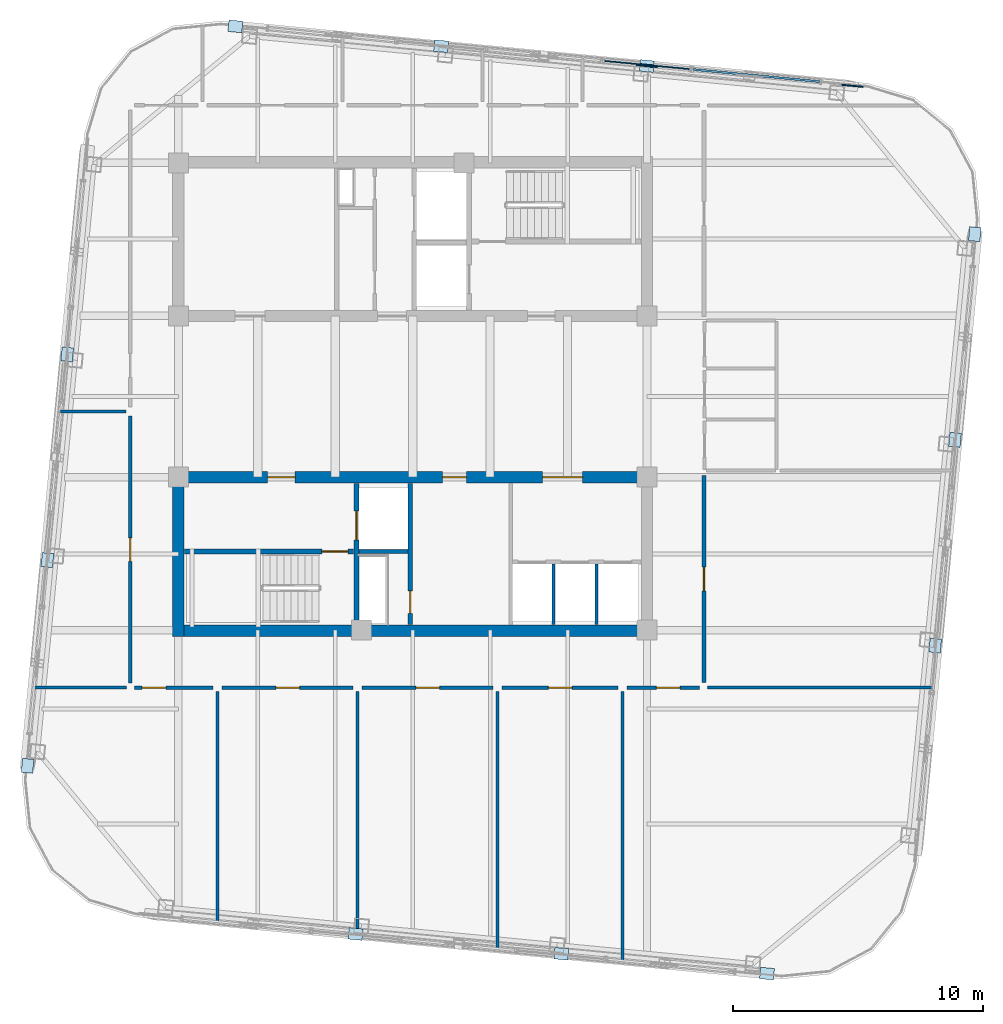
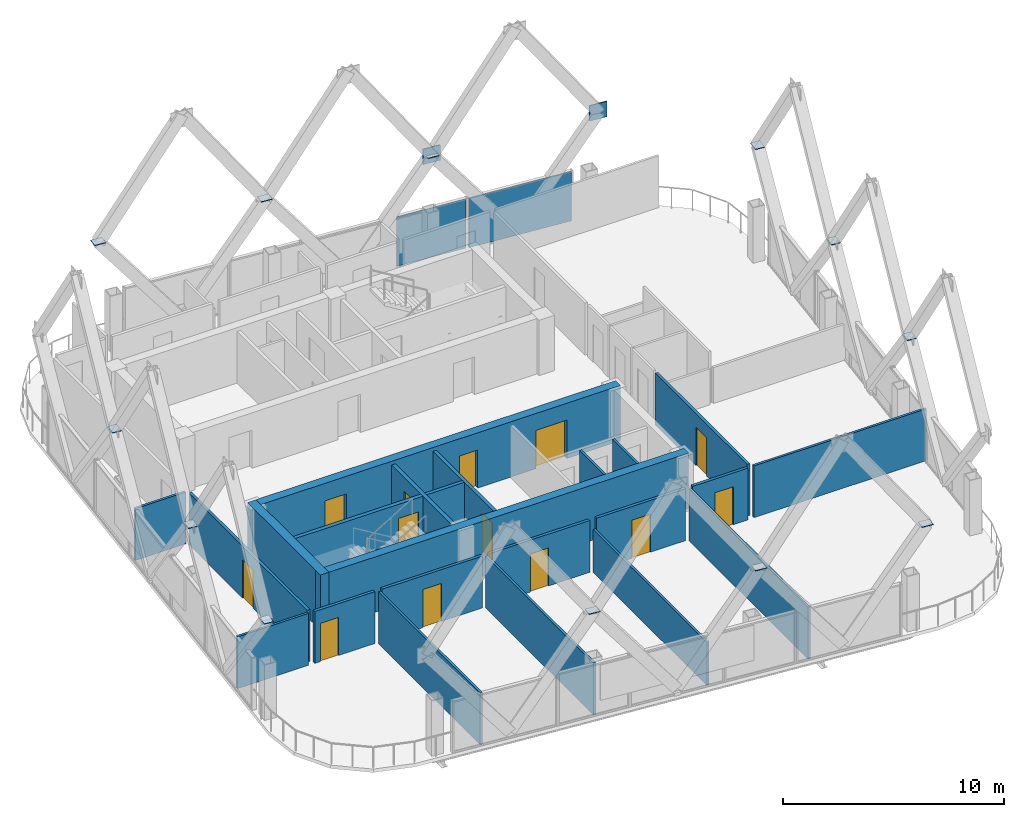
# One storey, part 19 of 25: 23 walls, 16 plates, 13 doors, 13 openings, 2 elements without a shape of their own.
"""IFC4 building model written with IfcOpenShell, lengths in metres."""

from ifc_helpers import new_model, si_unit, direction, frame, frame_2d, origin, origin_2d, place, context, subcontext, project, spatial, rectangle, extrude, material, layer, layer_set, type_object, element, fill, aggregate, save


model = new_model("IFC4")

# Units and contexts
model_context = context("Model", 3, precision=1e-05, world=origin(), true_north=direction((0.0, 1.0)))
body_context = subcontext(model_context, "Body", "Model", "MODEL_VIEW")
ifc_project = project(units=[si_unit("LENGTHUNIT", "METRE"), si_unit("AREAUNIT", "SQUARE_METRE"), si_unit("VOLUMEUNIT", "CUBIC_METRE"), si_unit("PLANEANGLEUNIT", "RADIAN"), si_unit("MASSUNIT", "GRAM", prefix="KILO")], contexts=[model_context])

# Site, building, storey
site_placement = place(None, origin())
site = spatial("IfcSite", under=ifc_project, at=site_placement, CompositionType="ELEMENT")
building_placement = place(site_placement, origin())
building = spatial("IfcBuilding", under=site, at=building_placement, Name="Qhalaya Broadcast Tower", CompositionType="ELEMENT")
storey_placement = place(building_placement, frame((0.0, 0.0, 255.050048828125)))
storey = spatial("IfcBuildingStorey", under=building, at=storey_placement, Name="L75", CompositionType="ELEMENT", Elevation=255.050048828125)

# Plates
ifc_material_1 = material(Name="Structural Steel ASTM A572 Grade 50", Category="steel")
ifc_layer_1 = layer(ifc_material_1, 0.054931640625, Name="Structural Steel ASTM A572 Grade 50")
ifc_layer_set_1 = layer_set([ifc_layer_1], Name="Structural Steel ASTM A572 Grade 50")
plate_type_1 = type_object("IfcPlateType", Name="Exoskeleton Diamond Node Gusset Plate NP-01", PredefinedType="USERDEFINED", material=ifc_layer_set_1)
for number, where, z_axis, x_axis, name in (
    (1, (17.5927734375, 13.029296875, 5.329833984375), (0.0, 0.0, 1.0), (0.995396198367, -0.09584575252, 0.0), "Exoskeleton Diamond Node B6-N1-MDL"),
    (2, (9.3642578125, 13.82177734375, 5.329833984375), (0.0, 0.0, 1.0), (0.995396198367, -0.09584575252, 0.0), "Exoskeleton Diamond Node B6-N2-MDL"),
):
    element("IfcPlate", number, at=place(storey_placement, frame(where, z_axis=z_axis, x_axis=x_axis)), inside=storey, type_object=plate_type_1, Name=name, ObjectType="GUSSET_PLATE", PredefinedType="USERDEFINED", context=body_context, shape_type="SweptSolid", body=[
        extrude(rectangle(XDim=0.85009765625, YDim=0.054931640625, at=origin_2d()), origin(), (0.0, 0.0, 1.0), 0.85009765625),
    ])
ifc_layer_2 = layer(ifc_material_1, 0.4599609375, Name="Structural Steel ASTM A572 Grade 50")
ifc_layer_set_2 = layer_set([ifc_layer_2], Name="Structural Steel ASTM A572 Grade 50")
plate_type_2 = type_object("IfcPlateType", Name="Hollow Box Member End Cap Plate CP-01", PredefinedType="USERDEFINED", material=ifc_layer_set_2)
for number, where, z_axis, x_axis, name in (
    (3, (-2.2841796875, -20.901611328125, 5.73876953125), (0.0, 0.0, 1.0), (0.995396198367, -0.09584575252, 0.0), "Exoskeleton Hollow End Cap B6-S1"),
    (4, (5.9443359375, -21.694091796875, 5.73876953125), (0.0, 0.0, 1.0), (0.995396198367, -0.09584575252, 0.0), "Exoskeleton Hollow End Cap B6-S2"),
    (5, (14.173095703125, -22.486328125, 5.73876953125), (0.0, 0.0, 1.0), (0.995396198367, -0.09584575252, 0.0), "Exoskeleton Hollow End Cap B6-S3"),
    (6, (20.901611328125, -9.3642578125, 5.73876953125), (0.0, 0.0, 1.0), (0.09584575252, 0.995396198367, 0.0), "Exoskeleton Hollow End Cap B6-E1"),
    (7, (21.694091796875, -1.135498046875, 5.73876953125), (0.0, 0.0, 1.0), (0.09584575252, 0.995396198367, 0.0), "Exoskeleton Hollow End Cap B6-E2"),
    (8, (22.486328125, 7.093017578125, 5.73876953125), (0.0, 0.0, 1.0), (0.09584575252, 0.995396198367, 0.0), "Exoskeleton Hollow End Cap B6-E3"),
    (9, (9.3642578125, 13.82177734375, 5.73876953125), (0.0, 0.0, 1.0), (0.995396198367, -0.09584575252, 0.0), "Exoskeleton Hollow End Cap B6-N1"),
    (10, (1.135498046875, 14.614013671875, 5.73876953125), (0.0, 0.0, 1.0), (0.995396198367, -0.09584575252, 0.0), "Exoskeleton Hollow End Cap B6-N2"),
    (11, (-7.093017578125, 15.406494140625, 5.73876953125), (0.0, 0.0, 1.0), (0.995396198367, -0.09584575252, 0.0), "Exoskeleton Hollow End Cap B6-N3"),
    (12, (-13.82177734375, 2.2841796875, 5.73876953125), (0.0, 0.0, 1.0), (0.09584575252, 0.995396198367, 0.0), "Exoskeleton Hollow End Cap B6-W1"),
    (13, (-14.614013671875, -5.9443359375, 5.73876953125), (0.0, 0.0, 1.0), (0.09584575252, 0.995396198367, 0.0), "Exoskeleton Hollow End Cap B6-W2"),
    (14, (-15.406494140625, -14.173095703125, 5.73876953125), (0.0, 0.0, 1.0), (0.09584575252, 0.995396198367, 0.0), "Exoskeleton Hollow End Cap B6-W3"),
):
    element("IfcPlate", number, at=place(storey_placement, frame(where, z_axis=z_axis, x_axis=x_axis)), inside=storey, type_object=plate_type_2, Name=name, ObjectType="COVER_PLATE", PredefinedType="USERDEFINED", context=body_context, shape_type="SweptSolid", body=[
        extrude(rectangle(XDim=0.56005859375, YDim=0.4599609375, at=origin_2d()), origin(), (0.0, 0.0, 1.0), 0.031982421875),
    ])

# Curtain wall, plate
ifc_material_2 = material(Name="Fired Architectural Terracotta", Category="masonry")
ifc_layer_3 = layer(ifc_material_2, 0.219970703125, Name="Fired Architectural Terracotta")
ifc_layer_set_3 = layer_set([ifc_layer_3], Name="Fired Architectural Terracotta")
curtain_wall_type_1 = type_object("IfcCurtainWallType", Name="Block-Cap Unitised Terracotta Spandrel Wall CW-07", PredefinedType="NOTDEFINED", material=ifc_layer_set_3)
curtain_wall_1_placement = place(storey_placement, origin())
curtain_wall_1 = element("IfcCurtainWall", 15, at=curtain_wall_1_placement, inside=storey, type_object=curtain_wall_type_1, Name="L75 Unitised Curtain Wall L75-CW-N1", PredefinedType="NOTDEFINED")
ifc_layer_4 = layer(ifc_material_2, 0.080078125, Name="Fired Architectural Terracotta")
ifc_layer_set_4 = layer_set([ifc_layer_4], Name="Fired Architectural Terracotta")
plate_type_3 = type_object("IfcPlateType", Name="Insulated Terracotta Spandrel Panel TSP-07", PredefinedType="CURTAIN_PANEL", material=ifc_layer_set_4)
plate_1_placement = place(storey_placement, frame((13.75146484375, 13.439453125, 0.074951171875), z_axis=(0.0, 0.0, 1.0), x_axis=(-0.995395942778, 0.095848406879, 0.0)))
plate_1 = element("IfcPlate", 16, at=plate_1_placement, type_object=plate_type_3, Name="CW-07 panel 1.1", PredefinedType="CURTAIN_PANEL", context=body_context, shape_type="SweptSolid", body=[
    extrude(rectangle(XDim=5.075927734375, YDim=0.080078125, at=origin_2d()), origin(), (0.0, 0.0, 1.0), 2.7099609375),
])
aggregate(curtain_wall_1, [plate_1])

ifc_material_3 = material(Name="Solar-Control Low-E Triple Glazing", Category="glass")
ifc_layer_5 = layer(ifc_material_3, 0.219970703125, Name="Solar-Control Low-E Triple Glazing")
ifc_layer_set_5 = layer_set([ifc_layer_5], Name="Solar-Control Low-E Triple Glazing")
curtain_wall_type_2 = type_object("IfcCurtainWallType", Name="High-Altitude Upper-Shaft Triple Low-E Curtain Wall CW-04", PredefinedType="NOTDEFINED", material=ifc_layer_set_5)
curtain_wall_2_placement = place(storey_placement, origin())
curtain_wall_2 = element("IfcCurtainWall", 17, at=curtain_wall_2_placement, inside=storey, type_object=curtain_wall_type_2, Name="L75 Unitised Curtain Wall L75-CW-N2", PredefinedType="NOTDEFINED")
ifc_layer_6 = layer(ifc_material_3, 0.0419921875, Name="Solar-Control Low-E Triple Glazing")
ifc_layer_set_6 = layer_set([ifc_layer_6], Name="Solar-Control Low-E Triple Glazing")
plate_type_4 = type_object("IfcPlateType", Name="Solar-Control Curtain Glazing Panel GLP-04", PredefinedType="CURTAIN_PANEL", material=ifc_layer_set_6)
plate_2_placement = place(storey_placement, frame((9.3681640625, 13.861572265625, 0.074951171875), z_axis=(0.0, 0.0, 1.0), x_axis=(-0.995397049282, 0.095836915023, 0.0)))
plate_2 = element("IfcPlate", 18, at=plate_2_placement, type_object=plate_type_4, Name="CW-04 panel 1.1", PredefinedType="CURTAIN_PANEL", context=body_context, shape_type="SweptSolid", body=[
    extrude(rectangle(XDim=3.43115234375, YDim=0.0419921875, at=origin_2d()), origin(), (0.0, 0.0, 1.0), 2.7099609375),
])
aggregate(curtain_wall_2, [plate_2])

# Wall, opening, door
ifc_material_4 = material(Name="Gypsum Acoustic Partition")
ifc_layer_7 = layer(ifc_material_4, 0.14990234375, Name="Gypsum Acoustic Partition")
ifc_layer_set_7 = layer_set([ifc_layer_7], Name="Gypsum Acoustic Partition")
wall_type_1 = type_object("IfcWallType", Name="Corridor & Tenancy Acoustic Partition 150", PredefinedType="PARTITIONING", material=ifc_layer_set_7)
wall_1_placement = place(storey_placement, frame((-11.1201171875, -11.050048828125, 0.0), z_axis=(0.0, 0.0, 1.0), x_axis=(1.0, 0.0, 0.0)))
wall_1 = element("IfcWall", 19, at=wall_1_placement, inside=storey, type_object=wall_type_1, Name="L75 Partition Wall W-COR-06", PredefinedType="PARTITIONING", context=body_context, shape_type="SweptSolid", body=[
    extrude(rectangle(XDim=3.14013671875, YDim=0.14990234375, at=frame_2d((1.570068359375, 0.0))), origin(), (0.0, 0.0, 1.0), 2.85986328125),
])
opening_1_placement = place(wall_1_placement, frame((0.294921875, 0.0, 0.0)))
opening_1 = element("IfcOpeningElement", 20, at=opening_1_placement, cuts=wall_1, Name="Opening D10", PredefinedType="OPENING", context=body_context, shape_type="SweptSolid", body=[
    extrude(rectangle(XDim=0.949951171875, YDim=2.10009765625, at=frame_2d((0.47509765625, 1.050048828125))), frame((0.0, 0.0869140625, 0.0), z_axis=(0.0, -1.0, 0.0), x_axis=(1.0, 0.0, 0.0)), (0.0, 0.0, 1.0), 0.173828125),
])
ifc_material_5 = material(Name="Timber Veneer Acoustic Door", Category="wood")
door_type_1 = type_object("IfcDoorType", Name="Cellular Office & Edit Booth Door D10", OperationType="NOTDEFINED", PredefinedType="DOOR", material=ifc_material_5)
door_1_placement = place(opening_1_placement, origin())
door_1 = element("IfcDoor", 21, at=door_1_placement, inside=storey, type_object=door_type_1, Name="L75 Door D-RM06", OperationType="SINGLE_SWING_RIGHT", OverallHeight=2.10009765625, OverallWidth=0.949951171875, PredefinedType="DOOR", context=body_context, shape_type="SweptSolid", body=[
    extrude(rectangle(XDim=0.949951171875, YDim=2.10009765625, at=frame_2d((0.47509765625, 1.050048828125))), frame((0.0, 0.02490234375, 0.0), z_axis=(0.0, -1.0, 0.0), x_axis=(1.0, 0.0, 0.0)), (0.0, 0.0, 1.0), 0.050048828125),
])
fill(opening_1, door_1)

wall_2_placement = place(storey_placement, frame((-7.6201171875, -11.050048828125, 0.0), z_axis=(0.0, 0.0, 1.0), x_axis=(1.0, 0.0, 0.0)))
wall_2 = element("IfcWall", 22, at=wall_2_placement, inside=storey, type_object=wall_type_1, Name="L75 Partition Wall W-COR-07", PredefinedType="PARTITIONING", context=body_context, shape_type="SweptSolid", body=[
    extrude(rectangle(XDim=5.240234375, YDim=0.14990234375, at=frame_2d((2.6201171875, 0.0))), origin(), (0.0, 0.0, 1.0), 2.85986328125),
])
opening_2_placement = place(wall_2_placement, frame((2.14501953125, 0.0, 0.0)))
opening_2 = element("IfcOpeningElement", 23, at=opening_2_placement, cuts=wall_2, Name="Opening D10", PredefinedType="OPENING", context=body_context, shape_type="SweptSolid", body=[
    extrude(rectangle(XDim=0.949951171875, YDim=2.10009765625, at=frame_2d((0.47509765625, 1.050048828125))), frame((0.0, 0.0869140625, 0.0), z_axis=(0.0, -1.0, 0.0), x_axis=(1.0, 0.0, 0.0)), (0.0, 0.0, 1.0), 0.173828125),
])
door_2_placement = place(opening_2_placement, origin())
door_2 = element("IfcDoor", 24, at=door_2_placement, inside=storey, type_object=door_type_1, Name="L75 Door D-RM07", OperationType="SINGLE_SWING_LEFT", OverallHeight=2.10009765625, OverallWidth=0.949951171875, PredefinedType="DOOR", context=body_context, shape_type="SweptSolid", body=[
    extrude(rectangle(XDim=0.949951171875, YDim=2.10009765625, at=frame_2d((0.47509765625, 1.050048828125))), frame((0.0, 0.02490234375, 0.0), z_axis=(0.0, -1.0, 0.0), x_axis=(1.0, 0.0, 0.0)), (0.0, 0.0, 1.0), 0.050048828125),
])
fill(opening_2, door_2)

wall_3_placement = place(storey_placement, frame((-2.02001953125, -11.050048828125, 0.0), z_axis=(0.0, 0.0, 1.0), x_axis=(1.0, 0.0, 0.0)))
wall_3 = element("IfcWall", 25, at=wall_3_placement, inside=storey, type_object=wall_type_1, Name="L75 Partition Wall W-COR-08", PredefinedType="PARTITIONING", context=body_context, shape_type="SweptSolid", body=[
    extrude(rectangle(XDim=5.239990234375, YDim=0.14990234375, at=frame_2d((2.6201171875, 0.0))), origin(), (0.0, 0.0, 1.0), 2.85986328125),
])
opening_3_placement = place(wall_3_placement, frame((2.14501953125, 0.0, 0.0)))
opening_3 = element("IfcOpeningElement", 26, at=opening_3_placement, cuts=wall_3, Name="Opening D10", PredefinedType="OPENING", context=body_context, shape_type="SweptSolid", body=[
    extrude(rectangle(XDim=0.949951171875, YDim=2.10009765625, at=frame_2d((0.47509765625, 1.050048828125))), frame((0.0, 0.0869140625, 0.0), z_axis=(0.0, -1.0, 0.0), x_axis=(1.0, 0.0, 0.0)), (0.0, 0.0, 1.0), 0.173828125),
])
door_3_placement = place(opening_3_placement, origin())
door_3 = element("IfcDoor", 27, at=door_3_placement, inside=storey, type_object=door_type_1, Name="L75 Door D-RM08", OperationType="SINGLE_SWING_RIGHT", OverallHeight=2.10009765625, OverallWidth=0.949951171875, PredefinedType="DOOR", context=body_context, shape_type="SweptSolid", body=[
    extrude(rectangle(XDim=0.949951171875, YDim=2.10009765625, at=frame_2d((0.47509765625, 1.050048828125))), frame((0.0, 0.02490234375, 0.0), z_axis=(0.0, -1.0, 0.0), x_axis=(1.0, 0.0, 0.0)), (0.0, 0.0, 1.0), 0.050048828125),
])
fill(opening_3, door_3)

wall_4_placement = place(storey_placement, frame((3.580078125, -11.050048828125, 0.0), z_axis=(0.0, 0.0, 1.0), x_axis=(1.0, 0.0, 0.0)))
wall_4 = element("IfcWall", 28, at=wall_4_placement, inside=storey, type_object=wall_type_1, Name="L75 Partition Wall W-COR-09", PredefinedType="PARTITIONING", context=body_context, shape_type="SweptSolid", body=[
    extrude(rectangle(XDim=4.639892578125, YDim=0.14990234375, at=frame_2d((2.31982421875, 0.0))), origin(), (0.0, 0.0, 1.0), 2.85986328125),
])
opening_4_placement = place(wall_4_placement, frame((1.844970703125, 0.0, 0.0)))
opening_4 = element("IfcOpeningElement", 29, at=opening_4_placement, cuts=wall_4, Name="Opening D10", PredefinedType="OPENING", context=body_context, shape_type="SweptSolid", body=[
    extrude(rectangle(XDim=0.949951171875, YDim=2.10009765625, at=frame_2d((0.47509765625, 1.050048828125))), frame((0.0, 0.0869140625, 0.0), z_axis=(0.0, -1.0, 0.0), x_axis=(1.0, 0.0, 0.0)), (0.0, 0.0, 1.0), 0.173828125),
])
door_4_placement = place(opening_4_placement, origin())
door_4 = element("IfcDoor", 30, at=door_4_placement, inside=storey, type_object=door_type_1, Name="L75 Door D-RM09", OperationType="SINGLE_SWING_LEFT", OverallHeight=2.10009765625, OverallWidth=0.949951171875, PredefinedType="DOOR", context=body_context, shape_type="SweptSolid", body=[
    extrude(rectangle(XDim=0.949951171875, YDim=2.10009765625, at=frame_2d((0.47509765625, 1.050048828125))), frame((0.0, 0.02490234375, 0.0), z_axis=(0.0, -1.0, 0.0), x_axis=(1.0, 0.0, 0.0)), (0.0, 0.0, 1.0), 0.050048828125),
])
fill(opening_4, door_4)

wall_5_placement = place(storey_placement, frame((8.580078125, -11.050048828125, 0.0), z_axis=(0.0, 0.0, 1.0), x_axis=(1.0, 0.0, 0.0)))
wall_5 = element("IfcWall", 31, at=wall_5_placement, inside=storey, type_object=wall_type_1, Name="L75 Partition Wall W-COR-10", PredefinedType="PARTITIONING", context=body_context, shape_type="SweptSolid", body=[
    extrude(rectangle(XDim=2.889892578125, YDim=0.14990234375, at=frame_2d((1.44482421875, 0.0))), origin(), (0.0, 0.0, 1.0), 2.85986328125),
])
opening_5_placement = place(wall_5_placement, frame((1.169921875, 0.0, 0.0)))
opening_5 = element("IfcOpeningElement", 32, at=opening_5_placement, cuts=wall_5, Name="Opening D10", PredefinedType="OPENING", context=body_context, shape_type="SweptSolid", body=[
    extrude(rectangle(XDim=0.949951171875, YDim=2.10009765625, at=frame_2d((0.47509765625, 1.050048828125))), frame((0.0, 0.0869140625, 0.0), z_axis=(0.0, -1.0, 0.0), x_axis=(1.0, 0.0, 0.0)), (0.0, 0.0, 1.0), 0.173828125),
])
door_5_placement = place(opening_5_placement, origin())
door_5 = element("IfcDoor", 33, at=door_5_placement, inside=storey, type_object=door_type_1, Name="L75 Door D-RM10", OperationType="SINGLE_SWING_RIGHT", OverallHeight=2.10009765625, OverallWidth=0.949951171875, PredefinedType="DOOR", context=body_context, shape_type="SweptSolid", body=[
    extrude(rectangle(XDim=0.949951171875, YDim=2.10009765625, at=frame_2d((0.47509765625, 1.050048828125))), frame((0.0, 0.02490234375, 0.0), z_axis=(0.0, -1.0, 0.0), x_axis=(1.0, 0.0, 0.0)), (0.0, 0.0, 1.0), 0.050048828125),
])
fill(opening_5, door_5)

wall_6_placement = place(storey_placement, frame((-11.300048828125, -0.179931640625, 0.0), z_axis=(0.0, 0.0, 1.0), x_axis=(0.0, -1.0, 0.0)))
wall_6 = element("IfcWall", 34, at=wall_6_placement, inside=storey, type_object=wall_type_1, Name="L75 Partition Wall W-COR-11", PredefinedType="PARTITIONING", context=body_context, shape_type="SweptSolid", body=[
    extrude(rectangle(XDim=10.690185546875, YDim=0.14990234375, at=frame_2d((5.34521484375, 0.0))), origin(), (0.0, 0.0, 1.0), 2.85986328125),
])
opening_6_placement = place(wall_6_placement, frame((4.8701171875, 0.0, 0.0)))
opening_6 = element("IfcOpeningElement", 35, at=opening_6_placement, cuts=wall_6, Name="Opening D10", PredefinedType="OPENING", context=body_context, shape_type="SweptSolid", body=[
    extrude(rectangle(XDim=0.949951171875, YDim=2.10009765625, at=frame_2d((0.47509765625, 1.050048828125))), frame((0.0, 0.0869140625, 0.0), z_axis=(0.0, -1.0, 0.0), x_axis=(1.0, 0.0, 0.0)), (0.0, 0.0, 1.0), 0.173828125),
])
door_6_placement = place(opening_6_placement, origin())
door_6 = element("IfcDoor", 36, at=door_6_placement, inside=storey, type_object=door_type_1, Name="L75 Door D-RM11", OperationType="SINGLE_SWING_LEFT", OverallHeight=2.10009765625, OverallWidth=0.949951171875, PredefinedType="DOOR", context=body_context, shape_type="SweptSolid", body=[
    extrude(rectangle(XDim=0.949951171875, YDim=2.10009765625, at=frame_2d((0.47509765625, 1.050048828125))), frame((0.0, 0.02490234375, 0.0), z_axis=(0.0, -1.0, 0.0), x_axis=(1.0, 0.0, 0.0)), (0.0, 0.0, 1.0), 0.050048828125),
])
fill(opening_6, door_6)

wall_7_placement = place(storey_placement, frame((11.64990234375, -10.85009765625, 0.0), z_axis=(0.0, 0.0, 1.0), x_axis=(0.0, 1.0, 0.0)))
wall_7 = element("IfcWall", 37, at=wall_7_placement, inside=storey, type_object=wall_type_1, Name="L75 Partition Wall W-COR-13", PredefinedType="PARTITIONING", context=body_context, shape_type="SweptSolid", body=[
    extrude(rectangle(XDim=8.2900390625, YDim=0.14990234375, at=frame_2d((4.14501953125, 0.0))), origin(), (0.0, 0.0, 1.0), 2.85986328125),
])
opening_7_placement = place(wall_7_placement, frame((3.669921875, 0.0, 0.0)))
opening_7 = element("IfcOpeningElement", 38, at=opening_7_placement, cuts=wall_7, Name="Opening D10", PredefinedType="OPENING", context=body_context, shape_type="SweptSolid", body=[
    extrude(rectangle(XDim=0.949951171875, YDim=2.10009765625, at=frame_2d((0.47509765625, 1.050048828125))), frame((0.0, 0.0869140625, 0.0), z_axis=(0.0, -1.0, 0.0), x_axis=(1.0, 0.0, 0.0)), (0.0, 0.0, 1.0), 0.173828125),
])
door_7_placement = place(opening_7_placement, origin())
door_7 = element("IfcDoor", 39, at=door_7_placement, inside=storey, type_object=door_type_1, Name="L75 Door D-RM13", OperationType="SINGLE_SWING_LEFT", OverallHeight=2.10009765625, OverallWidth=0.949951171875, PredefinedType="DOOR", context=body_context, shape_type="SweptSolid", body=[
    extrude(rectangle(XDim=0.949951171875, YDim=2.10009765625, at=frame_2d((0.47509765625, 1.050048828125))), frame((0.0, 0.02490234375, 0.0), z_axis=(0.0, -1.0, 0.0), x_axis=(1.0, 0.0, 0.0)), (0.0, 0.0, 1.0), 0.050048828125),
])
fill(opening_7, door_7)

ifc_material_6 = material(Name="Concrete C50/60", Category="concrete")
ifc_layer_8 = layer(ifc_material_6, 0.199951171875, Name="Concrete C50/60")
ifc_layer_set_8 = layer_set([ifc_layer_8], Name="Concrete C50/60")
wall_type_2 = type_object("IfcWallType", Name="Load-Bearing Stair Shaft Wall 200", PredefinedType="SHEAR", material=ifc_layer_set_8)
wall_8_placement = place(storey_placement, frame((-9.1298828125, -5.60498046875, 0.0), z_axis=(0.0, 0.0, 1.0), x_axis=(1.0, 0.0, 0.0)))
wall_8 = element("IfcWall", 40, at=wall_8_placement, inside=storey, type_object=wall_type_2, Name="L75 Stair Core Shear Wall SCW-ST2", PredefinedType="SHEAR", context=body_context, shape_type="SweptSolid", body=[
    extrude(rectangle(XDim=6.769775390625, YDim=0.199951171875, at=frame_2d((3.384765625, 0.0))), origin(), (0.0, 0.0, 1.0), 2.85986328125),
])
opening_8_placement = place(wall_8_placement, frame((5.5, 0.0, 0.0)))
opening_8 = element("IfcOpeningElement", 41, at=opening_8_placement, cuts=wall_8, Name="Opening D03", PredefinedType="OPENING", context=body_context, shape_type="SweptSolid", body=[
    extrude(rectangle(XDim=1.050048828125, YDim=2.080078125, at=frame_2d((0.52490234375, 1.0400390625))), frame((0.0, 0.112060546875, 0.0), z_axis=(0.0, -1.0, 0.0), x_axis=(1.0, 0.0, 0.0)), (0.0, 0.0, 1.0), 0.223876953125),
])
ifc_material_7 = material(Name="Fire-Rated Steel Door", Category="steel")
door_type_2 = type_object("IfcDoorType", Name="Core Stair Protected Fire Door D03", OperationType="NOTDEFINED", PredefinedType="DOOR", material=ifc_material_7)
door_8_placement = place(opening_8_placement, origin())
door_8 = element("IfcDoor", 42, at=door_8_placement, inside=storey, type_object=door_type_2, Name="L75 Door D-SST2", OperationType="SINGLE_SWING_RIGHT", OverallHeight=2.080078125, OverallWidth=1.050048828125, PredefinedType="DOOR", context=body_context, shape_type="SweptSolid", body=[
    extrude(rectangle(XDim=1.050048828125, YDim=2.080078125, at=frame_2d((0.52490234375, 1.0400390625))), frame((0.0, 0.02490234375, 0.0), z_axis=(0.0, -1.0, 0.0), x_axis=(1.0, 0.0, 0.0)), (0.0, 0.0, 1.0), 0.050048828125),
])
fill(opening_8, door_8)

wall_9_placement = place(storey_placement, frame((-2.25, -8.530029296875, 0.0), z_axis=(0.0, 0.0, 1.0), x_axis=(0.0, 1.0, 0.0)))
wall_9 = element("IfcWall", 43, at=wall_9_placement, inside=storey, type_object=wall_type_2, Name="L75 Stair Core Shear Wall SCW-FF", PredefinedType="SHEAR", context=body_context, shape_type="SweptSolid", body=[
    extrude(rectangle(XDim=5.659912109375, YDim=0.199951171875, at=frame_2d((2.830078125, 0.0))), origin(), (0.0, 0.0, 1.0), 2.85986328125),
])
opening_9_placement = place(wall_9_placement, frame((3.39990234375, 0.0, 0.0)))
opening_9 = element("IfcOpeningElement", 44, at=opening_9_placement, cuts=wall_9, Name="Opening LD2", PredefinedType="OPENING", context=body_context, shape_type="SweptSolid", body=[
    extrude(rectangle(XDim=1.14990234375, YDim=2.080078125, at=frame_2d((0.574951171875, 1.0400390625))), frame((0.0, 0.112060546875, 0.0), z_axis=(0.0, -1.0, 0.0), x_axis=(1.0, 0.0, 0.0)), (0.0, 0.0, 1.0), 0.223876953125),
])
ifc_material_8 = material(Name="Brushed Stainless Steel Lift Door", Category="steel")
door_type_3 = type_object("IfcDoorType", Name="Firefighting Lift Sliding Landing Door LD2", OperationType="DOUBLE_DOOR_SLIDING", PredefinedType="DOOR", material=ifc_material_8)
door_9_placement = place(opening_9_placement, origin())
door_9 = element("IfcDoor", 45, at=door_9_placement, inside=storey, type_object=door_type_3, Name="L75 Door LD-FF2", OperationType="DOUBLE_DOOR_SLIDING", OverallHeight=2.080078125, OverallWidth=1.14990234375, PredefinedType="DOOR", context=body_context, shape_type="SweptSolid", body=[
    extrude(rectangle(XDim=1.14990234375, YDim=2.080078125, at=frame_2d((0.574951171875, 1.0400390625))), frame((0.0, 0.02490234375, 0.0), z_axis=(0.0, -1.0, 0.0), x_axis=(1.0, 0.0, 0.0)), (0.0, 0.0, 1.0), 0.050048828125),
])
fill(opening_9, door_9)

# Walls
ifc_layer_9 = layer(ifc_material_4, 0.1201171875, Name="Gypsum Acoustic Partition")
ifc_layer_set_9 = layer_set([ifc_layer_9], Name="Gypsum Acoustic Partition")
wall_type_3 = type_object("IfcWallType", Name="Office, Booth & Sanitary Partition 120", PredefinedType="PARTITIONING", material=ifc_layer_set_9)
for number, where, z_axis, x_axis, name in (
    (46, (5.639892578125, -8.530029296875, 0.0), (0.0, 0.0, 1.0), (0.0, 1.0, 0.0), "L75 Partition Wall SCW-HD6"),
    (47, (7.360107421875, -8.530029296875, 0.0), (0.0, 0.0, 1.0), (0.0, 1.0, 0.0), "L75 Partition Wall SCW-HD7"),
):
    element("IfcWall", number, at=place(storey_placement, frame(where, z_axis=z_axis, x_axis=x_axis)), inside=storey, type_object=wall_type_3, Name=name, PredefinedType="PARTITIONING", context=body_context, shape_type="SweptSolid", body=[
        extrude(rectangle(XDim=2.429931640625, YDim=0.1201171875, at=frame_2d((1.21484375, 0.0))), origin(), (0.0, 0.0, 1.0), 2.85986328125),
    ])
wall_10_placement = place(storey_placement, frame((-15.145751953125, -11.050048828125, 0.0), z_axis=(0.0, 0.0, 1.0), x_axis=(1.0, 0.0, 0.0)))
element("IfcWall", 48, at=wall_10_placement, inside=storey, type_object=wall_type_3, Name="L75 Partition Wall W-BNDW2", PredefinedType="PARTITIONING", context=body_context, shape_type="SweptSolid", body=[
    extrude(rectangle(XDim=3.705810546875, YDim=0.1201171875, at=frame_2d((1.85302734375, 0.0))), origin(), (0.0, 0.0, 1.0), 2.85986328125),
])
wall_11_placement = place(storey_placement, frame((11.7900390625, -11.050048828125, 0.0), z_axis=(0.0, 0.0, 1.0), x_axis=(1.0, 0.0, 0.0)))
element("IfcWall", 49, at=wall_11_placement, inside=storey, type_object=wall_type_3, Name="L75 Partition Wall W-BNDE2", PredefinedType="PARTITIONING", context=body_context, shape_type="SweptSolid", body=[
    extrude(rectangle(XDim=8.989501953125, YDim=0.1201171875, at=frame_2d((4.49462890625, 0.0))), origin(), (0.0, 0.0, 1.0), 2.85986328125),
])
wall_12_placement = place(storey_placement, frame((-7.800048828125, -20.41064453125, 0.0), z_axis=(0.0, 0.0, 1.0), x_axis=(0.0, 1.0, 0.0)))
element("IfcWall", 50, at=wall_12_placement, inside=storey, type_object=wall_type_3, Name="L75 Partition Wall W-DIVS1", PredefinedType="PARTITIONING", context=body_context, shape_type="SweptSolid", body=[
    extrude(rectangle(XDim=9.20068359375, YDim=0.1201171875, at=frame_2d((4.600341796875, 0.0))), origin(), (0.0, 0.0, 1.0), 2.85986328125),
])
wall_13_placement = place(storey_placement, frame((-2.199951171875, -20.949951171875, 0.0), z_axis=(0.0, 0.0, 1.0), x_axis=(0.0, 1.0, 0.0)))
element("IfcWall", 51, at=wall_13_placement, inside=storey, type_object=wall_type_3, Name="L75 Partition Wall W-DIVS2", PredefinedType="PARTITIONING", context=body_context, shape_type="SweptSolid", body=[
    extrude(rectangle(XDim=9.739990234375, YDim=0.1201171875, at=frame_2d((4.8701171875, 0.0))), origin(), (0.0, 0.0, 1.0), 2.85986328125),
])
wall_14_placement = place(storey_placement, frame((3.39990234375, -21.4892578125, 0.0), z_axis=(0.0, 0.0, 1.0), x_axis=(0.0, 1.0, 0.0)))
element("IfcWall", 52, at=wall_14_placement, inside=storey, type_object=wall_type_3, Name="L75 Partition Wall W-DIVS3", PredefinedType="PARTITIONING", context=body_context, shape_type="SweptSolid", body=[
    extrude(rectangle(XDim=10.279296875, YDim=0.1201171875, at=frame_2d((5.1396484375, 0.0))), origin(), (0.0, 0.0, 1.0), 2.380859375),
])
wall_15_placement = place(storey_placement, frame((8.39990234375, -21.970703125, 0.0), z_axis=(0.0, 0.0, 1.0), x_axis=(0.0, 1.0, 0.0)))
element("IfcWall", 53, at=wall_15_placement, inside=storey, type_object=wall_type_3, Name="L75 Partition Wall W-DIVS4", PredefinedType="PARTITIONING", context=body_context, shape_type="SweptSolid", body=[
    extrude(rectangle(XDim=10.7607421875, YDim=0.1201171875, at=frame_2d((5.38037109375, 0.0))), origin(), (0.0, 0.0, 1.0), 2.85986328125),
])
wall_16_placement = place(storey_placement, frame((-14.081787109375, 0.0, 0.0), z_axis=(0.0, 0.0, 1.0), x_axis=(1.0, 0.0, 0.0)))
element("IfcWall", 54, at=wall_16_placement, inside=storey, type_object=wall_type_3, Name="L75 Partition Wall W-DIVW1", PredefinedType="PARTITIONING", context=body_context, shape_type="SweptSolid", body=[
    extrude(rectangle(XDim=2.621826171875, YDim=0.1201171875, at=frame_2d((1.31103515625, 0.0))), origin(), (0.0, 0.0, 1.0), 2.85986328125),
])

# Wall, opening, door
ifc_layer_10 = layer(ifc_material_4, 0.175048828125, Name="Gypsum Acoustic Partition")
ifc_layer_set_10 = layer_set([ifc_layer_10], Name="Gypsum Acoustic Partition")
wall_type_4 = type_object("IfcWallType", Name="Shaft & Riser Fire Partition 175", PredefinedType="PARTITIONING", material=ifc_layer_set_10)
wall_17_placement = place(storey_placement, frame((-0.10009765625, -8.530029296875, 0.0), z_axis=(0.0, 0.0, 1.0), x_axis=(0.0, 1.0, 0.0)))
wall_17 = element("IfcWall", 55, at=wall_17_placement, inside=storey, type_object=wall_type_4, Name="L75 Partition Wall SCW-FFE", PredefinedType="PARTITIONING", context=body_context, shape_type="SweptSolid", body=[
    extrude(rectangle(XDim=5.659912109375, YDim=0.175048828125, at=frame_2d((2.830078125, 0.0))), origin(), (0.0, 0.0, 1.0), 2.85986328125),
])
opening_10_placement = place(wall_17_placement, frame((0.449951171875, 0.0, 0.0)))
opening_10 = element("IfcOpeningElement", 56, at=opening_10_placement, cuts=wall_17, Name="Opening D06", PredefinedType="OPENING", context=body_context, shape_type="SweptSolid", body=[
    extrude(rectangle(XDim=0.89990234375, YDim=2.050048828125, at=frame_2d((0.449951171875, 1.02490234375))), frame((0.0, 0.099609375, 0.0), z_axis=(0.0, -1.0, 0.0), x_axis=(1.0, 0.0, 0.0)), (0.0, 0.0, 1.0), 0.198974609375),
])
door_type_4 = type_object("IfcDoorType", Name="Riser & Electrical Shaft Access Door D06", OperationType="NOTDEFINED", PredefinedType="DOOR", material=ifc_material_7)
door_10_placement = place(opening_10_placement, origin())
door_10 = element("IfcDoor", 57, at=door_10_placement, inside=storey, type_object=door_type_4, Name="L75 Riser Shaft Access Door D-SRSR", OperationType="SINGLE_SWING_LEFT", OverallHeight=2.050048828125, OverallWidth=0.89990234375, PredefinedType="DOOR", context=body_context, shape_type="SweptSolid", body=[
    extrude(rectangle(XDim=0.89990234375, YDim=2.050048828125, at=frame_2d((0.449951171875, 1.02490234375))), frame((0.0, 0.02490234375, 0.0), z_axis=(0.0, -1.0, 0.0), x_axis=(1.0, 0.0, 0.0)), (0.0, 0.0, 1.0), 0.050048828125),
])
fill(opening_10, door_10)

# Walls
wall_18_placement = place(storey_placement, frame((-2.14990234375, -5.60009765625, 0.0), z_axis=(0.0, 0.0, 1.0), x_axis=(1.0, 0.0, 0.0)))
element("IfcWall", 58, at=wall_18_placement, inside=storey, type_object=wall_type_4, Name="L75 Partition Wall SCW-FFM", PredefinedType="PARTITIONING", context=body_context, shape_type="SweptSolid", body=[
    extrude(rectangle(XDim=1.969970703125, YDim=0.175048828125, at=frame_2d((0.98486328125, 0.0))), origin(), (0.0, 0.0, 1.0), 2.85986328125),
])
ifc_layer_11 = layer(ifc_material_6, 0.449951171875, Name="Concrete C50/60")
ifc_layer_set_11 = layer_set([ifc_layer_11], Name="Concrete C50/60")
wall_type_5 = type_object("IfcWallType", Name="Upper Split-Core Shear Wall 450", PredefinedType="SHEAR", material=ifc_layer_set_11)
wall_19_placement = place(storey_placement, frame((-9.60009765625, -8.77490234375, 0.0), z_axis=(0.0, 0.0, 1.0), x_axis=(1.0, 0.0, 0.0)))
element("IfcWall", 59, at=wall_19_placement, inside=storey, type_object=wall_type_5, Name="L75 Split-Core Shear Wall CW-SS", PredefinedType="SHEAR", context=body_context, shape_type="SweptSolid", body=[
    extrude(rectangle(XDim=19.2001953125, YDim=0.449951171875, at=frame_2d((9.60009765625, 0.0))), origin(), (0.0, 0.0, 1.0), 3.050048828125),
])

# Wall, openings, doors
wall_20_placement = place(storey_placement, frame((-9.60009765625, -2.625, 0.0), z_axis=(0.0, 0.0, 1.0), x_axis=(1.0, 0.0, 0.0)))
wall_20 = element("IfcWall", 60, at=wall_20_placement, inside=storey, type_object=wall_type_5, Name="L75 Split-Core Shear Wall CW-SN", PredefinedType="SHEAR", context=body_context, shape_type="SweptSolid", body=[
    extrude(rectangle(XDim=19.2001953125, YDim=0.449951171875, at=frame_2d((9.60009765625, 0.0))), origin(), (0.0, 0.0, 1.0), 3.050048828125),
])
opening_11_placement = place(wall_20_placement, frame((3.800048828125, 0.0, 0.0)))
opening_11 = element("IfcOpeningElement", 61, at=opening_11_placement, cuts=wall_20, Name="Opening D04", PredefinedType="OPENING", context=body_context, shape_type="SweptSolid", body=[
    extrude(rectangle(XDim=1.10009765625, YDim=2.080078125, at=frame_2d((0.550048828125, 1.0400390625))), frame((0.0, 0.237060546875, 0.0), z_axis=(0.0, -1.0, 0.0), x_axis=(1.0, 0.0, 0.0)), (0.0, 0.0, 1.0), 0.473876953125),
])
opening_12_placement = place(wall_20_placement, frame((10.800048828125, 0.0, 0.0)))
opening_12 = element("IfcOpeningElement", 62, at=opening_12_placement, cuts=wall_20, Name="Opening D10", PredefinedType="OPENING", context=body_context, shape_type="SweptSolid", body=[
    extrude(rectangle(XDim=0.949951171875, YDim=2.10009765625, at=frame_2d((0.47509765625, 1.050048828125))), frame((0.0, 0.237060546875, 0.0), z_axis=(0.0, -1.0, 0.0), x_axis=(1.0, 0.0, 0.0)), (0.0, 0.0, 1.0), 0.473876953125),
])
opening_13_placement = place(wall_20_placement, frame((14.800048828125, 0.0, 0.0)))
opening_13 = element("IfcOpeningElement", 63, at=opening_13_placement, cuts=wall_20, Name="Opening D07", PredefinedType="OPENING", context=body_context, shape_type="SweptSolid", body=[
    extrude(rectangle(XDim=1.60009765625, YDim=2.1201171875, at=frame_2d((0.800048828125, 1.06005859375))), frame((0.0, 0.237060546875, 0.0), z_axis=(0.0, -1.0, 0.0), x_axis=(1.0, 0.0, 0.0)), (0.0, 0.0, 1.0), 0.473876953125),
])
door_11_placement = place(opening_12_placement, origin())
door_11 = element("IfcDoor", 64, at=door_11_placement, inside=storey, type_object=door_type_1, Name="L75 Door D-SREC", OperationType="SINGLE_SWING_LEFT", OverallHeight=2.10009765625, OverallWidth=0.949951171875, PredefinedType="DOOR", context=body_context, shape_type="SweptSolid", body=[
    extrude(rectangle(XDim=0.949951171875, YDim=2.10009765625, at=frame_2d((0.47509765625, 1.050048828125))), frame((0.0, 0.02490234375, 0.0), z_axis=(0.0, -1.0, 0.0), x_axis=(1.0, 0.0, 0.0)), (0.0, 0.0, 1.0), 0.050048828125),
])
fill(opening_12, door_11)
door_type_5 = type_object("IfcDoorType", Name="Firefighting Lobby Rated Door D04", OperationType="NOTDEFINED", PredefinedType="DOOR", material=ifc_material_7)
door_12_placement = place(opening_11_placement, origin())
door_12 = element("IfcDoor", 65, at=door_12_placement, inside=storey, type_object=door_type_5, Name="L75 Door D-SFF", OperationType="SINGLE_SWING_LEFT", OverallHeight=2.080078125, OverallWidth=1.10009765625, PredefinedType="DOOR", context=body_context, shape_type="SweptSolid", body=[
    extrude(rectangle(XDim=1.10009765625, YDim=2.080078125, at=frame_2d((0.550048828125, 1.0400390625))), frame((0.0, 0.02490234375, 0.0), z_axis=(0.0, -1.0, 0.0), x_axis=(1.0, 0.0, 0.0)), (0.0, 0.0, 1.0), 0.050048828125),
])
fill(opening_11, door_12)
ifc_material_9 = material(Name="Anodised Aluminium Glazed Door", Category="aluminium")
door_type_6 = type_object("IfcDoorType", Name="Passenger Lift Lobby Double Glazed Door D07", OperationType="DOUBLE_DOOR_SINGLE_SWING", PredefinedType="DOOR", material=ifc_material_9)
door_13_placement = place(opening_13_placement, origin())
door_13 = element("IfcDoor", 66, at=door_13_placement, inside=storey, type_object=door_type_6, Name="L75 Door D-SPLL", OperationType="DOUBLE_DOOR_SINGLE_SWING", OverallHeight=2.1201171875, OverallWidth=1.60009765625, PredefinedType="DOOR", context=body_context, shape_type="SweptSolid", body=[
    extrude(rectangle(XDim=1.60009765625, YDim=2.1201171875, at=frame_2d((0.800048828125, 1.06005859375))), frame((0.0, 0.02490234375, 0.0), z_axis=(0.0, -1.0, 0.0), x_axis=(1.0, 0.0, 0.0)), (0.0, 0.0, 1.0), 0.050048828125),
])
fill(opening_13, door_13)

# Wall
wall_21_placement = place(storey_placement, frame((-9.375, -9.0, 0.0), z_axis=(0.0, 0.0, 1.0), x_axis=(0.0, 1.0, 0.0)))
element("IfcWall", 67, at=wall_21_placement, inside=storey, type_object=wall_type_5, Name="L75 Split-Core Shear Wall CW-SW", PredefinedType="SHEAR", context=body_context, shape_type="SweptSolid", body=[
    extrude(rectangle(XDim=6.60009765625, YDim=0.449951171875, at=frame_2d((3.300048828125, 0.0))), origin(), (0.0, 0.0, 1.0), 3.050048828125),
])

save(model, "model.ifc")
